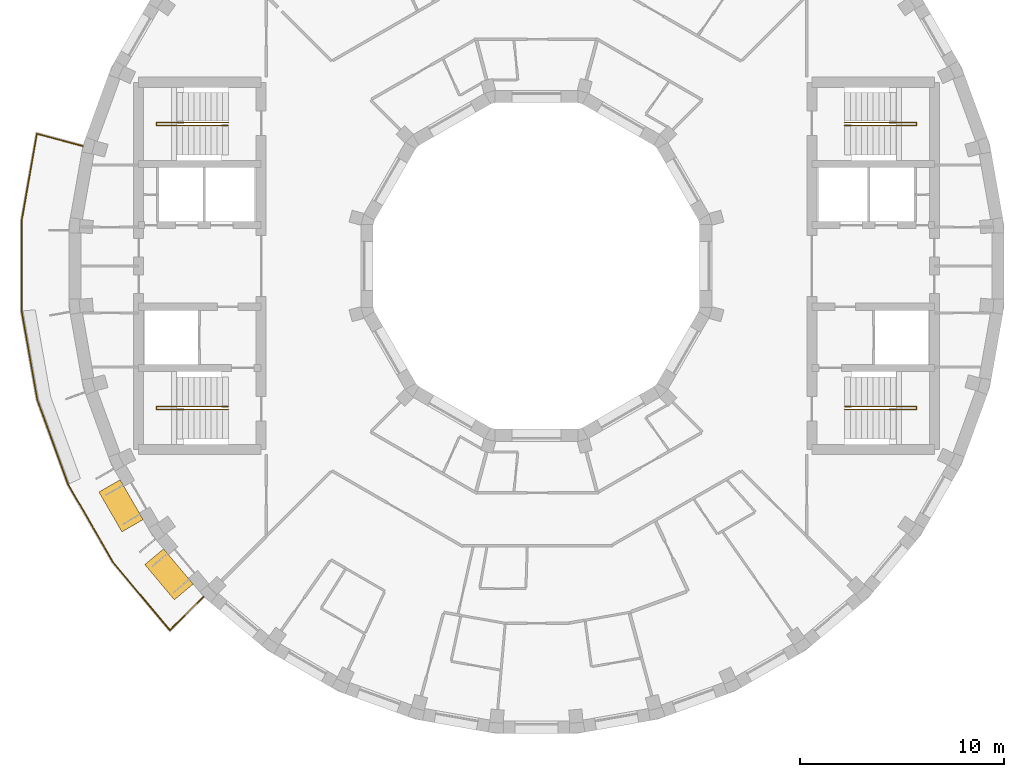
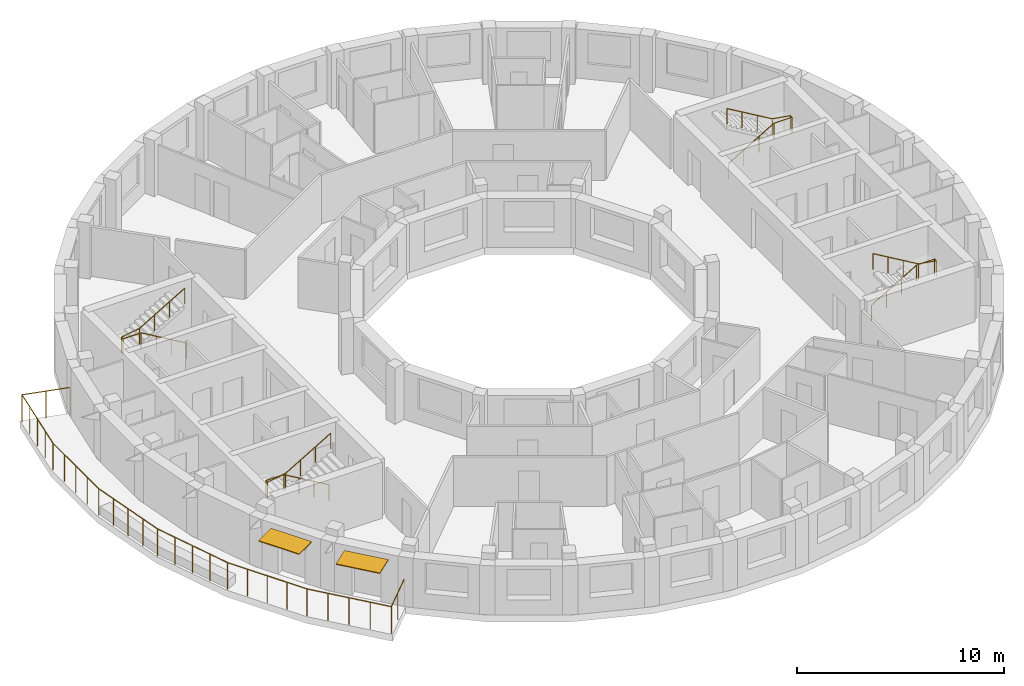
# One storey, part 10 of 10: 5 railings, 2 shading devices.
"""IFC4 building model written with IfcOpenShell, lengths in metres."""

from ifc_helpers import new_model, si_unit, direction, frame, origin, origin_2d, place, context, subcontext, project, spatial, rectangle, circle, extrude, material, layer, layer_set, type_object, element, save


model = new_model("IFC4")

# Units and contexts
model_context = context("Model", 3, precision=1e-05, world=origin(), true_north=direction((0.0, 1.0)))
body_context = subcontext(model_context, "Body", "Model", "MODEL_VIEW")
ifc_project = project(units=[si_unit("LENGTHUNIT", "METRE"), si_unit("AREAUNIT", "SQUARE_METRE"), si_unit("VOLUMEUNIT", "CUBIC_METRE"), si_unit("PLANEANGLEUNIT", "RADIAN"), si_unit("MASSUNIT", "GRAM", prefix="KILO")], contexts=[model_context])

# Site, building, storey
site_placement = place(None, origin())
site = spatial("IfcSite", under=ifc_project, at=site_placement, CompositionType="ELEMENT")
building_placement = place(site_placement, origin())
building = spatial("IfcBuilding", under=site, at=building_placement, Name="Saqina Gate Tower", CompositionType="ELEMENT")
storey_placement = place(building_placement, frame((0.0, 0.0, 249.5)))
storey = spatial("IfcBuildingStorey", under=building, at=storey_placement, Name="L71", CompositionType="ELEMENT", Elevation=249.5)

# Shading devices
ifc_material_1 = material(Name="Aluminium and fabric awning", Category="aluminium")
ifc_layer = layer(ifc_material_1, 0.050048828125)
ifc_layer_set = layer_set([ifc_layer], Name="AW-TERRACE")
shading_device_type = type_object("IfcShadingDeviceType", Name="AW-TERRACE", PredefinedType="AWNING", material=ifc_layer_set)
for number, where, z_axis, x_axis, name in (
    (1, (-20.3623046875, -11.756103515625, 2.52490234375), (0.0, 0.0, 1.0), (0.5, -0.866025403784, 0.0), "Terrace awning L71 facet 21"),
    (2, (-18.01171875, -15.113525390625, 2.52490234375), (0.0, 0.0, 1.0), (0.642787609687, -0.766044443119, 0.0), "Terrace awning L71 facet 22"),
):
    element("IfcShadingDevice", number, at=place(storey_placement, frame(where, z_axis=z_axis, x_axis=x_axis)), inside=storey, type_object=shading_device_type, Name=name, PredefinedType="AWNING", context=body_context, shape_type="SweptSolid", body=[
        extrude(rectangle(XDim=2.251708984375, YDim=1.199951171875, at=origin_2d()), origin(), (0.0, 0.0, 1.0), 0.050048828125),
    ])

# Railings
ifc_material_2 = material(Name="Stainless steel", Category="steel")
railing_type_1 = type_object("IfcRailingType", Name="RL-TERRACE", PredefinedType="GUARDRAIL", material=ifc_material_2)
railing_1_placement = place(storey_placement, frame((-22.178955078125, 5.860107421875, 0.0)))
element("IfcRailing", 3, at=railing_1_placement, inside=storey, type_object=railing_type_1, Name="Terrace guard L71", PredefinedType="GUARDRAIL", context=body_context, shape_type="SweptSolid", body=[
    extrude(circle(Radius=0.02392578125, at=origin_2d()), frame((0.0, 0.0, 1.576171875), z_axis=(-0.96594257821, 0.258756517988, 0.0), x_axis=(-0.258756517988, -0.96594257821, 0.0)), (0.0, 0.0, 1.0), 2.388916015625),
    extrude(circle(Radius=0.02392578125, at=origin_2d()), frame((-2.3076171875, 0.6181640625, 1.576171875), z_axis=(-0.172037454969, -0.985090409093, 0.0), x_axis=(0.985090409093, -0.172037454969, 0.0)), (0.0, 0.0, 1.0), 4.33544921875),
    extrude(circle(Radius=0.02392578125, at=origin_2d()), frame((-3.053466796875, -3.652587890625, 1.576171875), z_axis=(0.0, -1.0, 0.0), x_axis=(1.0, 0.0, 0.0)), (0.0, 0.0, 1.0), 4.4150390625),
    extrude(circle(Radius=0.02392578125, at=origin_2d()), frame((-3.053466796875, -8.067626953125, 1.576171875), z_axis=(0.173627609853, -0.984811379451, 0.0), x_axis=(0.984811379451, 0.173627609853, 0.0)), (0.0, 0.0, 1.0), 4.415283203125),
    extrude(circle(Radius=0.02392578125, at=origin_2d()), frame((-2.286865234375, -12.415771484375, 1.576171875), z_axis=(0.342022770825, -0.93969166445, 0.0), x_axis=(0.93969166445, 0.342022770825, 0.0)), (0.0, 0.0, 1.0), 4.4150390625),
    extrude(circle(Radius=0.02392578125, at=origin_2d()), frame((-0.77685546875, -16.564453125, 1.576171875), z_axis=(0.49998092645, -0.866036415623, 0.0), x_axis=(0.866036415623, 0.49998092645, 0.0)), (0.0, 0.0, 1.0), 4.415283203125),
    extrude(circle(Radius=0.02392578125, at=origin_2d()), frame((1.4306640625, -20.38818359375, 1.576171875), z_axis=(0.641584720745, -0.76705217952, 0.0), x_axis=(0.76705217952, 0.641584720745, 0.0)), (0.0, 0.0, 1.0), 4.33544921875),
    extrude(circle(Radius=0.02392578125, at=origin_2d()), frame((4.212158203125, -23.713623046875, 1.576171875), z_axis=(0.707157881947, 0.707055676733, 0.0), x_axis=(-0.707055676733, 0.707157881947, 0.0)), (0.0, 0.0, 1.0), 2.388671875),
    extrude(circle(Radius=0.02099609375, at=origin_2d()), origin(), (0.0, 0.0, 1.0), 1.552001953125),
    extrude(circle(Radius=0.02099609375, at=origin_2d()), frame((-1.15380859375, 0.30908203125, 0.0)), (0.0, 0.0, 1.0), 1.552001953125),
    extrude(circle(Radius=0.02099609375, at=origin_2d()), frame((-2.3076171875, 0.6181640625, 0.0)), (0.0, 0.0, 1.0), 1.552001953125),
    extrude(circle(Radius=0.02099609375, at=origin_2d()), frame((-2.494140625, -0.449462890625, 0.0)), (0.0, 0.0, 1.0), 1.552001953125),
    extrude(circle(Radius=0.02099609375, at=origin_2d()), frame((-2.6806640625, -1.51708984375, 0.0)), (0.0, 0.0, 1.0), 1.552001953125),
    extrude(circle(Radius=0.02099609375, at=origin_2d()), frame((-2.866943359375, -2.5849609375, 0.0)), (0.0, 0.0, 1.0), 1.552001953125),
    extrude(circle(Radius=0.02099609375, at=origin_2d()), frame((-3.053466796875, -3.652587890625, 0.0)), (0.0, 0.0, 1.0), 1.552001953125),
    extrude(circle(Radius=0.02099609375, at=origin_2d()), frame((-3.053466796875, -4.75634765625, 0.0)), (0.0, 0.0, 1.0), 1.552001953125),
    extrude(circle(Radius=0.02099609375, at=origin_2d()), frame((-3.053466796875, -5.860107421875, 0.0)), (0.0, 0.0, 1.0), 1.552001953125),
    extrude(circle(Radius=0.02099609375, at=origin_2d()), frame((-3.053466796875, -6.9638671875, 0.0)), (0.0, 0.0, 1.0), 1.552001953125),
    extrude(circle(Radius=0.02099609375, at=origin_2d()), frame((-3.053466796875, -8.067626953125, 0.0)), (0.0, 0.0, 1.0), 1.552001953125),
    extrude(circle(Radius=0.02099609375, at=origin_2d()), frame((-2.86181640625, -9.15478515625, 0.0)), (0.0, 0.0, 1.0), 1.552001953125),
    extrude(circle(Radius=0.02099609375, at=origin_2d()), frame((-2.670166015625, -10.24169921875, 0.0)), (0.0, 0.0, 1.0), 1.552001953125),
    extrude(circle(Radius=0.02099609375, at=origin_2d()), frame((-2.478515625, -11.32861328125, 0.0)), (0.0, 0.0, 1.0), 1.552001953125),
    extrude(circle(Radius=0.02099609375, at=origin_2d()), frame((-2.286865234375, -12.415771484375, 0.0)), (0.0, 0.0, 1.0), 1.552001953125),
    extrude(circle(Radius=0.02099609375, at=origin_2d()), frame((-1.909423828125, -13.452880859375, 0.0)), (0.0, 0.0, 1.0), 1.552001953125),
    extrude(circle(Radius=0.02099609375, at=origin_2d()), frame((-1.53173828125, -14.490234375, 0.0)), (0.0, 0.0, 1.0), 1.552001953125),
    extrude(circle(Radius=0.02099609375, at=origin_2d()), frame((-1.154296875, -15.52734375, 0.0)), (0.0, 0.0, 1.0), 1.552001953125),
    extrude(circle(Radius=0.02099609375, at=origin_2d()), frame((-0.77685546875, -16.564453125, 0.0)), (0.0, 0.0, 1.0), 1.552001953125),
    extrude(circle(Radius=0.02099609375, at=origin_2d()), frame((-0.22509765625, -17.5205078125, 0.0)), (0.0, 0.0, 1.0), 1.552001953125),
    extrude(circle(Radius=0.02099609375, at=origin_2d()), frame((0.326904296875, -18.476318359375, 0.0)), (0.0, 0.0, 1.0), 1.552001953125),
    extrude(circle(Radius=0.02099609375, at=origin_2d()), frame((0.87890625, -19.43212890625, 0.0)), (0.0, 0.0, 1.0), 1.552001953125),
    extrude(circle(Radius=0.02099609375, at=origin_2d()), frame((1.4306640625, -20.38818359375, 0.0)), (0.0, 0.0, 1.0), 1.552001953125),
    extrude(circle(Radius=0.02099609375, at=origin_2d()), frame((2.1259765625, -21.219482421875, 0.0)), (0.0, 0.0, 1.0), 1.552001953125),
    extrude(circle(Radius=0.02099609375, at=origin_2d()), frame((2.8212890625, -22.05078125, 0.0)), (0.0, 0.0, 1.0), 1.552001953125),
    extrude(circle(Radius=0.02099609375, at=origin_2d()), frame((3.516845703125, -22.88232421875, 0.0)), (0.0, 0.0, 1.0), 1.552001953125),
    extrude(circle(Radius=0.02099609375, at=origin_2d()), frame((4.212158203125, -23.713623046875, 0.0)), (0.0, 0.0, 1.0), 1.552001953125),
    extrude(circle(Radius=0.02099609375, at=origin_2d()), frame((5.056640625, -22.869140625, 0.0)), (0.0, 0.0, 1.0), 1.552001953125),
    extrude(circle(Radius=0.02099609375, at=origin_2d()), frame((5.9013671875, -22.024658203125, 0.0)), (0.0, 0.0, 1.0), 1.552001953125),
])
ifc_material_3 = material(Name="Stainless steel", Category="steel")
railing_type_2 = type_object("IfcRailingType", Name="STAIR HANDRAIL", PredefinedType="HANDRAIL", material=ifc_material_3)
railing_2_placement = place(storey_placement, frame((15.10009765625, 6.88330078125, 0.1650390625)))
element("IfcRailing", 4, at=railing_2_placement, inside=storey, type_object=railing_type_2, Name="EXIT STAIR 1 HANDRAIL", PredefinedType="HANDRAIL", context=body_context, shape_type="SweptSolid", body=[
    extrude(circle(Radius=0.02392578125, at=origin_2d()), frame((0.0, 0.0, 0.92578125), z_axis=(0.861560626758, 0.0, 0.507654692109), x_axis=(0.0, 1.0, 0.0)), (0.0, 0.0, 1.0), 2.925048828125),
    extrude(circle(Radius=0.02392578125, at=origin_2d()), frame((2.52001953125, 0.0, 2.41064453125), z_axis=(1.0, 0.0, 0.0), x_axis=(0.0, 1.0, 0.0)), (0.0, 0.0, 1.0), 1.0),
    extrude(circle(Radius=0.02392578125, at=origin_2d()), frame((3.52001953125, 0.0, 2.41064453125), z_axis=(0.0, 1.0, 0.0), x_axis=(-1.0, 0.0, 0.0)), (0.0, 0.0, 1.0), 0.158447265625),
    extrude(circle(Radius=0.02392578125, at=origin_2d()), frame((3.52001953125, 0.158447265625, 2.41064453125), z_axis=(-0.98665309941, 0.0, 0.162836302539), x_axis=(0.0, -1.0, 0.0)), (0.0, 0.0, 1.0), 1.013427734375),
    extrude(circle(Radius=0.02392578125, at=origin_2d()), frame((2.52001953125, 0.158447265625, 2.57568359375), z_axis=(-0.86152411907, 0.0, 0.507716645641), x_axis=(0.0, -1.0, 0.0)), (0.0, 0.0, 1.0), 2.925048828125),
    extrude(circle(Radius=0.02099609375, at=origin_2d()), origin(), (0.0, 0.0, 1.0), 0.90185546875),
    extrude(circle(Radius=0.02099609375, at=origin_2d()), frame((0.840087890625, 0.0, 0.494873046875)), (0.0, 0.0, 1.0), 0.90185546875),
    extrude(circle(Radius=0.02099609375, at=origin_2d()), frame((1.679931640625, 0.0, 0.989990234375)), (0.0, 0.0, 1.0), 0.90185546875),
    extrude(circle(Radius=0.02099609375, at=origin_2d()), frame((2.52001953125, 0.0, 1.48486328125)), (0.0, 0.0, 1.0), 0.90185546875),
    extrude(circle(Radius=0.02099609375, at=origin_2d()), frame((3.52001953125, 0.0, 1.48486328125)), (0.0, 0.0, 1.0), 0.90185546875),
    extrude(circle(Radius=0.02099609375, at=origin_2d()), frame((3.52001953125, 0.158447265625, 1.48486328125)), (0.0, 0.0, 1.0), 0.90185546875),
    extrude(circle(Radius=0.02099609375, at=origin_2d()), frame((2.52001953125, 0.158447265625, 1.64990234375)), (0.0, 0.0, 1.0), 0.90185546875),
    extrude(circle(Radius=0.02099609375, at=origin_2d()), frame((1.679931640625, 0.158447265625, 2.14501953125)), (0.0, 0.0, 1.0), 0.90185546875),
    extrude(circle(Radius=0.02099609375, at=origin_2d()), frame((0.840087890625, 0.158447265625, 2.639892578125)), (0.0, 0.0, 1.0), 0.90185546875),
    extrude(circle(Radius=0.02099609375, at=origin_2d()), frame((0.0, 0.158447265625, 3.135009765625)), (0.0, 0.0, 1.0), 0.90185546875),
])
railing_3_placement = place(storey_placement, frame((15.10009765625, -6.88330078125, 0.1650390625)))
element("IfcRailing", 5, at=railing_3_placement, inside=storey, type_object=railing_type_2, Name="EXIT STAIR 2 HANDRAIL", PredefinedType="HANDRAIL", context=body_context, shape_type="SweptSolid", body=[
    extrude(circle(Radius=0.02392578125, at=origin_2d()), frame((0.0, 0.0, 0.92578125), z_axis=(0.861560626758, 0.0, 0.507654692109), x_axis=(0.0, 1.0, 0.0)), (0.0, 0.0, 1.0), 2.925048828125),
    extrude(circle(Radius=0.02392578125, at=origin_2d()), frame((2.52001953125, 0.0, 2.41064453125), z_axis=(1.0, 0.0, 0.0), x_axis=(0.0, 1.0, 0.0)), (0.0, 0.0, 1.0), 1.0),
    extrude(circle(Radius=0.02392578125, at=origin_2d()), frame((3.52001953125, 0.0, 2.41064453125), z_axis=(0.0, -1.0, 0.0), x_axis=(1.0, 0.0, 0.0)), (0.0, 0.0, 1.0), 0.158447265625),
    extrude(circle(Radius=0.02392578125, at=origin_2d()), frame((3.52001953125, -0.158447265625, 2.41064453125), z_axis=(-0.98665309941, 0.0, 0.162836302539), x_axis=(0.0, -1.0, 0.0)), (0.0, 0.0, 1.0), 1.013427734375),
    extrude(circle(Radius=0.02392578125, at=origin_2d()), frame((2.52001953125, -0.158447265625, 2.57568359375), z_axis=(-0.86152411907, 0.0, 0.507716645641), x_axis=(0.0, -1.0, 0.0)), (0.0, 0.0, 1.0), 2.925048828125),
    extrude(circle(Radius=0.02099609375, at=origin_2d()), origin(), (0.0, 0.0, 1.0), 0.90185546875),
    extrude(circle(Radius=0.02099609375, at=origin_2d()), frame((0.840087890625, 0.0, 0.494873046875)), (0.0, 0.0, 1.0), 0.90185546875),
    extrude(circle(Radius=0.02099609375, at=origin_2d()), frame((1.679931640625, 0.0, 0.989990234375)), (0.0, 0.0, 1.0), 0.90185546875),
    extrude(circle(Radius=0.02099609375, at=origin_2d()), frame((2.52001953125, 0.0, 1.48486328125)), (0.0, 0.0, 1.0), 0.90185546875),
    extrude(circle(Radius=0.02099609375, at=origin_2d()), frame((3.52001953125, 0.0, 1.48486328125)), (0.0, 0.0, 1.0), 0.90185546875),
    extrude(circle(Radius=0.02099609375, at=origin_2d()), frame((3.52001953125, -0.158447265625, 1.48486328125)), (0.0, 0.0, 1.0), 0.90185546875),
    extrude(circle(Radius=0.02099609375, at=origin_2d()), frame((2.52001953125, -0.158447265625, 1.64990234375)), (0.0, 0.0, 1.0), 0.90185546875),
    extrude(circle(Radius=0.02099609375, at=origin_2d()), frame((1.679931640625, -0.158447265625, 2.14501953125)), (0.0, 0.0, 1.0), 0.90185546875),
    extrude(circle(Radius=0.02099609375, at=origin_2d()), frame((0.840087890625, -0.158447265625, 2.639892578125)), (0.0, 0.0, 1.0), 0.90185546875),
    extrude(circle(Radius=0.02099609375, at=origin_2d()), frame((0.0, -0.158447265625, 3.135009765625)), (0.0, 0.0, 1.0), 0.90185546875),
])
railing_4_placement = place(storey_placement, frame((-15.10009765625, 6.88330078125, 0.1650390625)))
element("IfcRailing", 6, at=railing_4_placement, inside=storey, type_object=railing_type_2, Name="EXIT STAIR 3 HANDRAIL", PredefinedType="HANDRAIL", context=body_context, shape_type="SweptSolid", body=[
    extrude(circle(Radius=0.02392578125, at=origin_2d()), frame((0.0, 0.0, 0.92578125), z_axis=(-0.861560626758, 0.0, 0.507654692109), x_axis=(0.0, -1.0, 0.0)), (0.0, 0.0, 1.0), 2.925048828125),
    extrude(circle(Radius=0.02392578125, at=origin_2d()), frame((-2.52001953125, 0.0, 2.41064453125), z_axis=(-1.0, 0.0, 0.0), x_axis=(0.0, -1.0, 0.0)), (0.0, 0.0, 1.0), 1.0),
    extrude(circle(Radius=0.02392578125, at=origin_2d()), frame((-3.52001953125, 0.0, 2.41064453125), z_axis=(0.0, 1.0, 0.0), x_axis=(-1.0, 0.0, 0.0)), (0.0, 0.0, 1.0), 0.158447265625),
    extrude(circle(Radius=0.02392578125, at=origin_2d()), frame((-3.52001953125, 0.158447265625, 2.41064453125), z_axis=(0.98665309941, 0.0, 0.162836302539), x_axis=(0.0, 1.0, 0.0)), (0.0, 0.0, 1.0), 1.013427734375),
    extrude(circle(Radius=0.02392578125, at=origin_2d()), frame((-2.52001953125, 0.158447265625, 2.57568359375), z_axis=(0.86152411907, 0.0, 0.507716645641), x_axis=(0.0, 1.0, 0.0)), (0.0, 0.0, 1.0), 2.925048828125),
    extrude(circle(Radius=0.02099609375, at=origin_2d()), origin(), (0.0, 0.0, 1.0), 0.90185546875),
    extrude(circle(Radius=0.02099609375, at=origin_2d()), frame((-0.840087890625, 0.0, 0.494873046875)), (0.0, 0.0, 1.0), 0.90185546875),
    extrude(circle(Radius=0.02099609375, at=origin_2d()), frame((-1.679931640625, 0.0, 0.989990234375)), (0.0, 0.0, 1.0), 0.90185546875),
    extrude(circle(Radius=0.02099609375, at=origin_2d()), frame((-2.52001953125, 0.0, 1.48486328125)), (0.0, 0.0, 1.0), 0.90185546875),
    extrude(circle(Radius=0.02099609375, at=origin_2d()), frame((-3.52001953125, 0.0, 1.48486328125)), (0.0, 0.0, 1.0), 0.90185546875),
    extrude(circle(Radius=0.02099609375, at=origin_2d()), frame((-3.52001953125, 0.158447265625, 1.48486328125)), (0.0, 0.0, 1.0), 0.90185546875),
    extrude(circle(Radius=0.02099609375, at=origin_2d()), frame((-2.52001953125, 0.158447265625, 1.64990234375)), (0.0, 0.0, 1.0), 0.90185546875),
    extrude(circle(Radius=0.02099609375, at=origin_2d()), frame((-1.679931640625, 0.158447265625, 2.14501953125)), (0.0, 0.0, 1.0), 0.90185546875),
    extrude(circle(Radius=0.02099609375, at=origin_2d()), frame((-0.840087890625, 0.158447265625, 2.639892578125)), (0.0, 0.0, 1.0), 0.90185546875),
    extrude(circle(Radius=0.02099609375, at=origin_2d()), frame((0.0, 0.158447265625, 3.135009765625)), (0.0, 0.0, 1.0), 0.90185546875),
])
railing_5_placement = place(storey_placement, frame((-15.10009765625, -6.88330078125, 0.1650390625)))
element("IfcRailing", 7, at=railing_5_placement, inside=storey, type_object=railing_type_2, Name="EXIT STAIR 4 HANDRAIL", PredefinedType="HANDRAIL", context=body_context, shape_type="SweptSolid", body=[
    extrude(circle(Radius=0.02392578125, at=origin_2d()), frame((0.0, 0.0, 0.92578125), z_axis=(-0.861560626758, 0.0, 0.507654692109), x_axis=(0.0, -1.0, 0.0)), (0.0, 0.0, 1.0), 2.925048828125),
    extrude(circle(Radius=0.02392578125, at=origin_2d()), frame((-2.52001953125, 0.0, 2.41064453125), z_axis=(-1.0, 0.0, 0.0), x_axis=(0.0, -1.0, 0.0)), (0.0, 0.0, 1.0), 1.0),
    extrude(circle(Radius=0.02392578125, at=origin_2d()), frame((-3.52001953125, 0.0, 2.41064453125), z_axis=(0.0, -1.0, 0.0), x_axis=(1.0, 0.0, 0.0)), (0.0, 0.0, 1.0), 0.158447265625),
    extrude(circle(Radius=0.02392578125, at=origin_2d()), frame((-3.52001953125, -0.158447265625, 2.41064453125), z_axis=(0.98665309941, 0.0, 0.162836302539), x_axis=(0.0, 1.0, 0.0)), (0.0, 0.0, 1.0), 1.013427734375),
    extrude(circle(Radius=0.02392578125, at=origin_2d()), frame((-2.52001953125, -0.158447265625, 2.57568359375), z_axis=(0.86152411907, 0.0, 0.507716645641), x_axis=(0.0, 1.0, 0.0)), (0.0, 0.0, 1.0), 2.925048828125),
    extrude(circle(Radius=0.02099609375, at=origin_2d()), origin(), (0.0, 0.0, 1.0), 0.90185546875),
    extrude(circle(Radius=0.02099609375, at=origin_2d()), frame((-0.840087890625, 0.0, 0.494873046875)), (0.0, 0.0, 1.0), 0.90185546875),
    extrude(circle(Radius=0.02099609375, at=origin_2d()), frame((-1.679931640625, 0.0, 0.989990234375)), (0.0, 0.0, 1.0), 0.90185546875),
    extrude(circle(Radius=0.02099609375, at=origin_2d()), frame((-2.52001953125, 0.0, 1.48486328125)), (0.0, 0.0, 1.0), 0.90185546875),
    extrude(circle(Radius=0.02099609375, at=origin_2d()), frame((-3.52001953125, 0.0, 1.48486328125)), (0.0, 0.0, 1.0), 0.90185546875),
    extrude(circle(Radius=0.02099609375, at=origin_2d()), frame((-3.52001953125, -0.158447265625, 1.48486328125)), (0.0, 0.0, 1.0), 0.90185546875),
    extrude(circle(Radius=0.02099609375, at=origin_2d()), frame((-2.52001953125, -0.158447265625, 1.64990234375)), (0.0, 0.0, 1.0), 0.90185546875),
    extrude(circle(Radius=0.02099609375, at=origin_2d()), frame((-1.679931640625, -0.158447265625, 2.14501953125)), (0.0, 0.0, 1.0), 0.90185546875),
    extrude(circle(Radius=0.02099609375, at=origin_2d()), frame((-0.840087890625, -0.158447265625, 2.639892578125)), (0.0, 0.0, 1.0), 0.90185546875),
    extrude(circle(Radius=0.02099609375, at=origin_2d()), frame((0.0, -0.158447265625, 3.135009765625)), (0.0, 0.0, 1.0), 0.90185546875),
])

save(model, "model.ifc")
